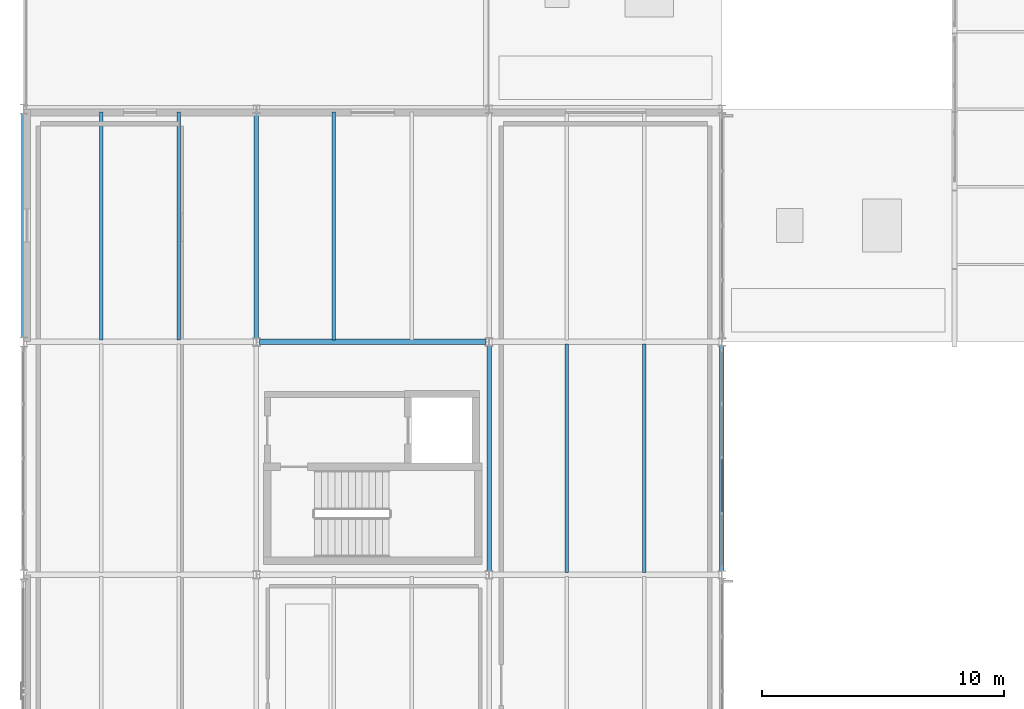
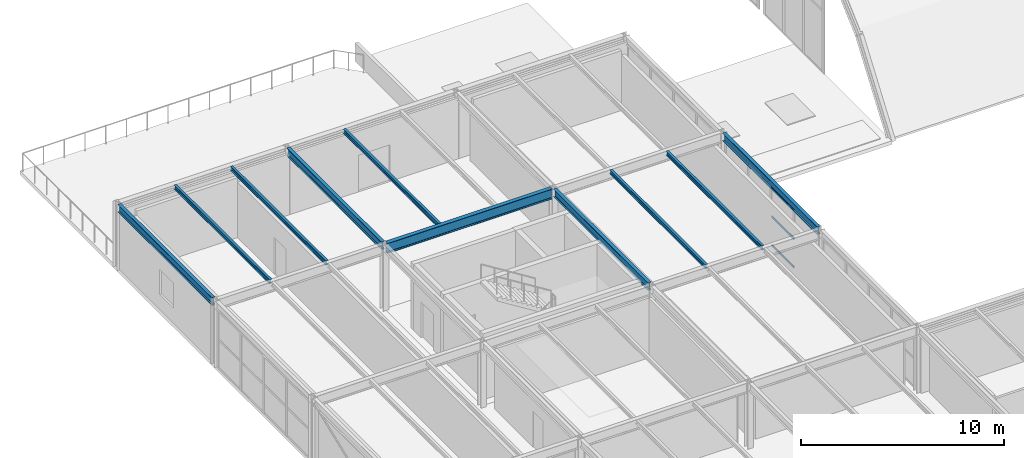
# One storey, part 34 of 126: 10 beams, 3 members, 1 element without a shape of its own.
"""IFC4 building model written with IfcOpenShell, lengths in metres."""

from ifc_helpers import new_model, si_unit, direction, frame, origin, origin_2d, place, context, subcontext, project, spatial, hollow_rectangle, i_section, extrude, material, material_profile, profile_set, type_object, element, aggregate, save


model = new_model("IFC4")

# Units and contexts
model_context = context("Model", 3, precision=1e-05, world=origin(), true_north=direction((0.0, 1.0)))
body_context = subcontext(model_context, "Body", "Model", "MODEL_VIEW")
ifc_project = project(units=[si_unit("LENGTHUNIT", "METRE"), si_unit("AREAUNIT", "SQUARE_METRE"), si_unit("VOLUMEUNIT", "CUBIC_METRE"), si_unit("PLANEANGLEUNIT", "RADIAN"), si_unit("MASSUNIT", "GRAM", prefix="KILO")], contexts=[model_context])

# Site, building, storey
site_placement = place(None, origin())
site = spatial("IfcSite", under=ifc_project, at=site_placement, CompositionType="ELEMENT")
building_placement = place(site_placement, origin())
building = spatial("IfcBuilding", under=site, at=building_placement, Name="Coralgate Yard Interchange", CompositionType="ELEMENT")
storey_placement = place(building_placement, frame((0.0, 0.0, 10.5)))
storey = spatial("IfcBuildingStorey", under=building, at=storey_placement, Name="L02", CompositionType="ELEMENT", Elevation=10.5)

# Beams
ifc_material_1 = material(Name="Structural steel S355J2", Category="steel")
ifc_material_profile_1 = material_profile(ifc_material_1, i_section(OverallWidth=0.1904296875, OverallDepth=0.45703125, WebThickness=0.009033203125, FlangeThickness=0.014404296875, FilletRadius=0.01025390625, at=origin_2d()), Name="UB 457x191x74")
ifc_profile_set_1 = profile_set([ifc_material_profile_1], Name="Structural steel S355J2")
beam_type_1 = type_object("IfcBeamType", Name="BM-SB-2", PredefinedType="BEAM", material=ifc_profile_set_1)
beam_1_placement = place(storey_placement, frame((0.0, 38.570068359375, 3.721435546875), z_axis=(0.0, 1.0, 0.0), x_axis=(-1.0, 0.0, 0.0)))
element("IfcBeam", 1, at=beam_1_placement, inside=storey, type_object=beam_type_1, Name="L02 primary grid girder X0 Y4-5", PredefinedType="BEAM", context=body_context, shape_type="SweptSolid", body=[
    extrude(i_section(OverallWidth=0.1904296875, OverallDepth=0.45703125, WebThickness=0.009033203125, FlangeThickness=0.014404296875, FilletRadius=0.01025390625, at=origin_2d()), origin(), (0.0, 0.0, 1.0), 9.260009765625),
])
beam_2_placement = place(storey_placement, frame((9.60009765625, 38.539794921875, 3.721435546875), z_axis=(0.0, 1.0, 0.0), x_axis=(-1.0, 0.0, 0.0)))
element("IfcBeam", 2, at=beam_2_placement, inside=storey, type_object=beam_type_1, Name="L02 primary grid girder X1 Y4-5", PredefinedType="BEAM", context=body_context, shape_type="SweptSolid", body=[
    extrude(i_section(OverallWidth=0.1904296875, OverallDepth=0.45703125, WebThickness=0.009033203125, FlangeThickness=0.014404296875, FilletRadius=0.01025390625, at=origin_2d()), origin(), (0.0, 0.0, 1.0), 9.3203125),
])
for number, where, z_axis, x_axis, name in (
    (3, (19.199951171875, 28.93994140625, 3.721435546875), (0.0, 1.0, 0.0), (-1.0, 0.0, 0.0), "L02 primary grid girder X2 Y3-4"),
    (4, (28.800048828125, 28.93994140625, 3.721435546875), (0.0, 1.0, 0.0), (-1.0, 0.0, 0.0), "L02 primary grid girder X3 Y3-4"),
):
    element("IfcBeam", number, at=place(storey_placement, frame(where, z_axis=z_axis, x_axis=x_axis)), inside=storey, type_object=beam_type_1, Name=name, PredefinedType="BEAM", context=body_context, shape_type="SweptSolid", body=[
        extrude(i_section(OverallWidth=0.1904296875, OverallDepth=0.45703125, WebThickness=0.009033203125, FlangeThickness=0.014404296875, FilletRadius=0.01025390625, at=origin_2d()), origin(), (0.0, 0.0, 1.0), 9.320068359375),
    ])
ifc_material_profile_2 = material_profile(ifc_material_1, i_section(OverallWidth=0.228271484375, OverallDepth=0.607666015625, WebThickness=0.010986328125, FlangeThickness=0.017333984375, FilletRadius=0.0126953125, at=origin_2d()), Name="UB 610x229x113")
ifc_profile_set_2 = profile_set([ifc_material_profile_2], Name="Structural steel S355J2")
beam_type_2 = type_object("IfcBeamType", Name="BM-SG-5", PredefinedType="BEAM", material=ifc_profile_set_2)
beam_3_placement = place(storey_placement, frame((9.727294921875, 38.39990234375, 3.646240234375), z_axis=(1.0, 0.0, 0.0), x_axis=(0.0, 1.0, 0.0)))
element("IfcBeam", 5, at=beam_3_placement, inside=storey, type_object=beam_type_2, Name="L02 primary grid beam Y4 X1-2", PredefinedType="BEAM", context=body_context, shape_type="SweptSolid", body=[
    extrude(i_section(OverallWidth=0.228271484375, OverallDepth=0.607666015625, WebThickness=0.010986328125, FlangeThickness=0.017333984375, FilletRadius=0.0126953125, at=origin_2d()), origin(), (0.0, 0.0, 1.0), 9.345458984375),
])
ifc_material_profile_3 = material_profile(ifc_material_1, i_section(OverallWidth=0.14599609375, OverallDepth=0.25146484375, WebThickness=0.006103515625, FlangeThickness=0.008544921875, FilletRadius=0.007568359375, at=origin_2d()), Name="UB 254x146x31")
ifc_profile_set_3 = profile_set([ifc_material_profile_3], Name="Structural steel S355J2")
beam_type_3 = type_object("IfcBeamType", Name="BM-SJ-2", PredefinedType="JOIST", material=ifc_profile_set_3)
for number, where, z_axis, x_axis, name in (
    (6, (3.199951171875, 38.484130859375, 3.82421875), (0.0, 1.0, 0.0), (-1.0, 0.0, 0.0), "L02 composite floor joist 0-4-1"),
    (7, (6.39990234375, 38.484130859375, 3.82421875), (0.0, 1.0, 0.0), (-1.0, 0.0, 0.0), "L02 composite floor joist 0-4-2"),
    (8, (12.800048828125, 38.484130859375, 3.82421875), (0.0, 1.0, 0.0), (-1.0, 0.0, 0.0), "L02 composite floor joist 1-4-1"),
):
    element("IfcBeam", number, at=place(storey_placement, frame(where, z_axis=z_axis, x_axis=x_axis)), inside=storey, type_object=beam_type_3, Name=name, PredefinedType="JOIST", context=body_context, shape_type="SweptSolid", body=[
        extrude(i_section(OverallWidth=0.14599609375, OverallDepth=0.25146484375, WebThickness=0.006103515625, FlangeThickness=0.008544921875, FilletRadius=0.007568359375, at=origin_2d()), origin(), (0.0, 0.0, 1.0), 9.395751953125),
    ])
for number, where, z_axis, x_axis, name in (
    (9, (22.39990234375, 28.884033203125, 3.82421875), (0.0, 1.0, 0.0), (-1.0, 0.0, 0.0), "L02 composite floor joist 2-3-1"),
    (10, (25.60009765625, 28.884033203125, 3.82421875), (0.0, 1.0, 0.0), (-1.0, 0.0, 0.0), "L02 composite floor joist 2-3-2"),
):
    element("IfcBeam", number, at=place(storey_placement, frame(where, z_axis=z_axis, x_axis=x_axis)), inside=storey, type_object=beam_type_3, Name=name, PredefinedType="JOIST", context=body_context, shape_type="SweptSolid", body=[
        extrude(i_section(OverallWidth=0.14599609375, OverallDepth=0.25146484375, WebThickness=0.006103515625, FlangeThickness=0.008544921875, FilletRadius=0.007568359375, at=origin_2d()), origin(), (0.0, 0.0, 1.0), 9.431884765625),
    ])

# Curtain wall, members
ifc_material_2 = material(Name="Anodised coastal aluminium and solar-control low-E glass", Category="aluminium")
curtain_wall_type = type_object("IfcCurtainWallType", Name="CW-CW-L02-A", PredefinedType="NOTDEFINED", material=ifc_material_2)
curtain_wall_placement = place(storey_placement, origin())
curtain_wall = element("IfcCurtainWall", 11, at=curtain_wall_placement, inside=storey, type_object=curtain_wall_type, Name="L02 unitised curtain wall CW-L02-E-02-03", PredefinedType="NOTDEFINED")
ifc_material_3 = material(Name="Anodised coastal aluminium 6063-T6", Category="aluminium")
ifc_material_profile_4 = material_profile(ifc_material_3, hollow_rectangle(XDim=0.06005859375, YDim=0.1201171875, WallThickness=0.00341796875, InnerFilletRadius=0.00341796875, OuterFilletRadius=0.007080078125, at=origin_2d()), Name="ALU 60x120x3.5")
ifc_profile_set_4 = profile_set([ifc_material_profile_4], Name="Anodised coastal aluminium 6063-T6")
member_type = type_object("IfcMemberType", Name="MB-TRN-120", PredefinedType="USERDEFINED", material=ifc_profile_set_4)
member_1_placement = place(storey_placement, frame((28.800048828125, 33.570068359375, 0.034912109375), z_axis=(0.0, -1.0, 0.0), x_axis=(1.0, 0.0, 0.0)))
member_1 = element("IfcMember", 12, at=member_1_placement, type_object=member_type, Name="CW-L02-E-02-03 horizontal transom 3-1", ObjectType="TRANSOM", PredefinedType="USERDEFINED", context=body_context, shape_type="SweptSolid", body=[
    extrude(hollow_rectangle(XDim=0.06005859375, YDim=0.1201171875, WallThickness=0.00341796875, InnerFilletRadius=0.00341796875, OuterFilletRadius=0.007080078125, at=origin_2d()), origin(), (0.0, 0.0, 1.0), 2.190185546875),
])
member_2_placement = place(storey_placement, frame((28.800048828125, 33.570068359375, 1.74658203125), z_axis=(0.0, -1.0, 0.0), x_axis=(1.0, 0.0, 0.0)))
member_2 = element("IfcMember", 13, at=member_2_placement, type_object=member_type, Name="CW-L02-E-02-03 horizontal transom 3-2", ObjectType="TRANSOM", PredefinedType="USERDEFINED", context=body_context, shape_type="SweptSolid", body=[
    extrude(hollow_rectangle(XDim=0.06005859375, YDim=0.1201171875, WallThickness=0.00341796875, InnerFilletRadius=0.00341796875, OuterFilletRadius=0.007080078125, at=origin_2d()), origin(), (0.0, 0.0, 1.0), 2.190185546875),
])
member_3_placement = place(storey_placement, frame((28.800048828125, 33.570068359375, 3.4580078125), z_axis=(0.0, -1.0, 0.0), x_axis=(1.0, 0.0, 0.0)))
member_3 = element("IfcMember", 14, at=member_3_placement, type_object=member_type, Name="CW-L02-E-02-03 horizontal transom 3-3", ObjectType="TRANSOM", PredefinedType="USERDEFINED", context=body_context, shape_type="SweptSolid", body=[
    extrude(hollow_rectangle(XDim=0.06005859375, YDim=0.1201171875, WallThickness=0.00341796875, InnerFilletRadius=0.00341796875, OuterFilletRadius=0.007080078125, at=origin_2d()), origin(), (0.0, 0.0, 1.0), 2.190185546875),
])
aggregate(curtain_wall, [member_1, member_2, member_3])

save(model, "model.ifc")
